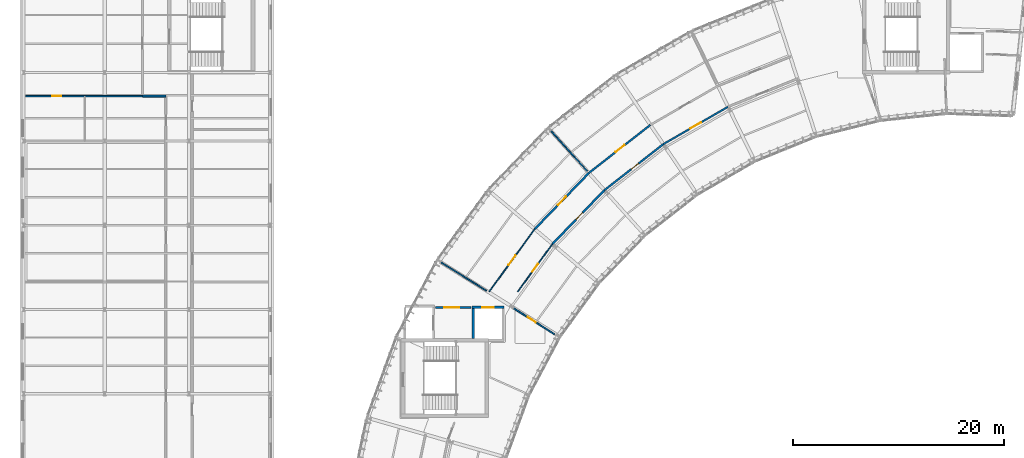
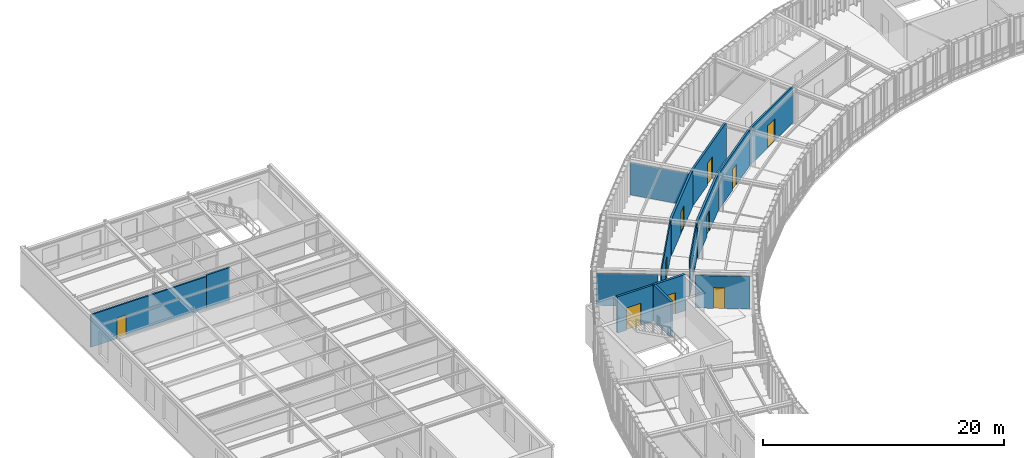
# One storey, part 29 of 41: 15 walls, 11 doors, 11 openings.
"""IFC4 building model written with IfcOpenShell, lengths in metres."""

import ifcopenshell
import ifcopenshell.guid

model = None  # the IFC model being written
_history = None  # IfcOwnerHistory: only IFC2X3 demands one
_inside = {}  # id of a spatial element -> (the spatial element, [elements in it])
_under = {}  # id of a project, library or spatial element -> (it, [spatial elements below it])
_declared = {}  # id of a project -> (the project, [libraries it declares])
_typed = {}  # id of a type object -> (the type object, [elements of that type])
_made_of = {}  # id of a material, layer set ... -> (it, [elements and type objects made of it])


def new_model(schema):
    """Start an empty IFC model of exactly this schema.

    Asked for "IFC4X3", IfcOpenShell would pick the latest addendum, in which some entities
    have other attributes; the version numbers below select the first issue.
    IFC2X3 requires an IfcOwnerHistory on every rooted entity: one is made here for all.
    """
    global model, _history
    if schema == "IFC4X3":
        model = ifcopenshell.file(schema_version=(4, 3, 0, 0))
    else:
        model = ifcopenshell.file(schema=schema)
    _inside.clear()
    _under.clear()
    _declared.clear()
    _typed.clear()
    _made_of.clear()
    _history = None
    if model.schema == "IFC2X3":
        org = make("IfcOrganization", Name="unknown")
        user = make(
            "IfcPersonAndOrganization",
            ThePerson=make("IfcPerson", FamilyName="unknown"),
            TheOrganization=org,
        )
        app = make(
            "IfcApplication",
            ApplicationDeveloper=org,
            Version="unknown",
            ApplicationFullName="unknown",
            ApplicationIdentifier="unknown",
        )
        _history = make(
            "IfcOwnerHistory",
            OwningUser=user,
            OwningApplication=app,
            ChangeAction="ADDED",
            CreationDate=0,
        )
    return model


def make(cls, **values):
    """One entity of the class cls with the attributes given. An attribute that is None is left unset."""
    return model.create_entity(
        cls, **{name: value for name, value in values.items() if value is not None}
    )


def rooted(cls, **values):
    """An entity with a GlobalId (a new one), such as an element, a storey or a relation."""
    return make(cls, GlobalId=ifcopenshell.guid.new(), OwnerHistory=_history, **values)


def si_unit(unit_type, name, prefix=None):
    """IfcSIUnit, for example si_unit("LENGTHUNIT", "METRE", prefix="MILLI")."""
    return make("IfcSIUnit", UnitType=unit_type, Prefix=prefix, Name=name)


def assignment(units):
    """IfcUnitAssignment: the units of a project."""
    return None if units is None else make("IfcUnitAssignment", Units=units)


def point(xyz):
    """IfcCartesianPoint."""
    return None if xyz is None else make("IfcCartesianPoint", Coordinates=xyz)


def direction(xyz):
    """IfcDirection."""
    return None if xyz is None else make("IfcDirection", DirectionRatios=xyz)


def frame(location, z_axis=None, x_axis=None):
    """IfcAxis2Placement3D, a coordinate frame: its origin and axes. An axis left out is left unset."""
    return make(
        "IfcAxis2Placement3D",
        Location=point(location),
        Axis=direction(z_axis),
        RefDirection=direction(x_axis),
    )


def frame_2d(location, x_axis=None):
    """IfcAxis2Placement2D, a coordinate frame in the plane: its origin and x axis."""
    return make(
        "IfcAxis2Placement2D", Location=point(location), RefDirection=direction(x_axis)
    )


def origin():
    """The frame at (0, 0, 0) with its axes left unset."""
    return frame((0.0, 0.0, 0.0))


def place(relative_to, where):
    """IfcLocalPlacement: puts the frame where relative to a parent placement (None: the world)."""
    return make(
        "IfcLocalPlacement", PlacementRelTo=relative_to, RelativePlacement=where
    )


def context(
    kind, dimensions, precision=None, world=None, true_north=None, identifier=None
):
    """IfcGeometricRepresentationContext, for example the 3D "Model" context."""
    return make(
        "IfcGeometricRepresentationContext",
        ContextIdentifier=identifier,
        ContextType=kind,
        CoordinateSpaceDimension=dimensions,
        Precision=precision,
        WorldCoordinateSystem=world,
        TrueNorth=true_north,
    )


def subcontext(parent, identifier, kind, view, scale=None):
    """IfcGeometricRepresentationSubContext, for example "Body" below "Model"."""
    return make(
        "IfcGeometricRepresentationSubContext",
        ContextIdentifier=identifier,
        ContextType=kind,
        ParentContext=parent,
        TargetScale=scale,
        TargetView=view,
    )


def project(units=None, contexts=None):
    """IfcProject with its units and contexts."""
    return rooted(
        "IfcProject",
        Name="project",
        RepresentationContexts=contexts,
        UnitsInContext=assignment(units),
    )


def spatial(cls, under=None, at=None, **own):
    """A site, building, storey or space (cls), placed at a placement, below another one or the project."""
    s = rooted(cls, ObjectPlacement=at, **own)
    if under is not None:
        _under.setdefault(under.id(), (under, []))[1].append(s)
    return s


def profile(cls, at=None, kind="AREA", **sizes):
    """A parametric profile (cls). Its sizes go by their IFC names, for example OverallWidth=200.0."""
    return make(cls, ProfileType=kind, Position=at, **sizes)


def rectangle(**sizes):
    """IfcRectangleProfileDef."""
    return profile("IfcRectangleProfileDef", **sizes)


def extrude(swept, where, along, depth):
    """IfcExtrudedAreaSolid: the profile swept, set in the frame where, extruded along a direction by depth."""
    return make(
        "IfcExtrudedAreaSolid",
        SweptArea=swept,
        Position=where,
        ExtrudedDirection=direction(along),
        Depth=depth,
    )


def shape(context_of_items, identifier, shape_type, items):
    """IfcShapeRepresentation: the items that make up one representation, for example the "Body"."""
    return make(
        "IfcShapeRepresentation",
        ContextOfItems=context_of_items,
        RepresentationIdentifier=identifier,
        RepresentationType=shape_type,
        Items=items,
    )


def material(Name=None, Category=None):
    """IfcMaterial."""
    return make("IfcMaterial", Name=Name, Category=Category)


def layer(
    of_material, thickness, ventilated=None, Name=None, Category=None, Priority=None
):
    """IfcMaterialLayer: one layer of a wall or slab, of a material (None: an air gap)."""
    return make(
        "IfcMaterialLayer",
        Material=of_material,
        LayerThickness=thickness,
        IsVentilated=ventilated,
        Name=Name,
        Category=Category,
        Priority=Priority,
    )


def layer_set(layers, Name=None):
    """IfcMaterialLayerSet."""
    return make("IfcMaterialLayerSet", MaterialLayers=layers, LayerSetName=Name)


def made_of(thing, what):
    """Note that an element or type object is made of a material, layer set ...; save() writes the relation."""
    if what is not None:
        _made_of.setdefault(what.id(), (what, []))[1].append(thing)
    return thing


def type_object(cls, material=None, **own):
    """A type object (cls), such as IfcWallType, which elements share."""
    return made_of(rooted(cls, **own), material)


def element(
    cls,
    number,
    at=None,
    inside=None,
    cuts=None,
    type_object=None,
    material=None,
    context=None,
    identifier="Body",
    shape_type=None,
    held_by="IfcProductDefinitionShape",
    body=None,
    shapes=None,
    **own,
):
    """One element of the class cls, such as IfcWall. Its Tag is "e" and its number.

    at: its placement. inside: the storey or other place that contains it. cuts: it is an
    opening in that element (IfcRelVoidsElement). A single representation is given by context,
    identifier, shape_type and body (its items); several are given by shapes. held_by: the class
    of the entity that holds the representations. save() writes the other relations.
    """
    e = rooted(cls, Tag="e%d" % number, ObjectPlacement=at, **own)
    if body is not None:
        shapes = [shape(context, identifier, shape_type, body)]
    if shapes is not None:
        e.Representation = make(held_by, Representations=shapes)
    if inside is not None:
        _inside.setdefault(inside.id(), (inside, []))[1].append(e)
    if cuts is not None:
        rooted(
            "IfcRelVoidsElement", RelatingBuildingElement=cuts, RelatedOpeningElement=e
        )
    if type_object is not None:
        _typed.setdefault(type_object.id(), (type_object, []))[1].append(e)
    return made_of(e, material)


def fill(opening, filler):
    """IfcRelFillsElement: the door or window that sits in an opening."""
    return rooted(
        "IfcRelFillsElement",
        RelatingOpeningElement=opening,
        RelatedBuildingElement=filler,
    )


def aggregate(whole, parts):
    """IfcRelAggregates: a whole, such as a stair, and the parts it consists of."""
    return rooted("IfcRelAggregates", RelatingObject=whole, RelatedObjects=parts)


def save(model, path):
    """Write the relations noted so far, then the file.

    IfcRelAggregates (storeys below a building ...), IfcRelContainedInSpatialStructure (elements
    in a storey), IfcRelDefinesByType, IfcRelAssociatesMaterial and IfcRelDeclares: one each for
    every whole, place, type object, material and project.
    """
    for whole, parts in _under.values():
        aggregate(whole, parts)
    for where, things in _inside.values():
        rooted(
            "IfcRelContainedInSpatialStructure",
            RelatedElements=things,
            RelatingStructure=where,
        )
    for kind, things in _typed.values():
        rooted("IfcRelDefinesByType", RelatedObjects=things, RelatingType=kind)
    for what, things in _made_of.values():
        rooted("IfcRelAssociatesMaterial", RelatedObjects=things, RelatingMaterial=what)
    for by, libraries in _declared.values():
        rooted("IfcRelDeclares", RelatingContext=by, RelatedDefinitions=libraries)
    model.write(path)


model = new_model("IFC4")

# Units and contexts
model_context = context("Model", 3, precision=1e-05, world=origin(), true_north=direction((0.0, 1.0)))
body_context = subcontext(model_context, "Body", "Model", "MODEL_VIEW")
ifc_project = project(units=[si_unit("LENGTHUNIT", "METRE"), si_unit("AREAUNIT", "SQUARE_METRE"), si_unit("VOLUMEUNIT", "CUBIC_METRE"), si_unit("PLANEANGLEUNIT", "RADIAN"), si_unit("MASSUNIT", "GRAM", prefix="KILO"), si_unit("THERMODYNAMICTEMPERATUREUNIT", "KELVIN"), si_unit("POWERUNIT", "WATT")], contexts=[model_context])

# Site, building, storey
site_placement = place(None, origin())
site = spatial("IfcSite", under=ifc_project, at=site_placement, CompositionType="ELEMENT")
building_placement = place(site_placement, origin())
building = spatial("IfcBuilding", under=site, at=building_placement, Name="Solvatero Civic Police Headquarters", CompositionType="ELEMENT")
storey_placement = place(building_placement, frame((0.0, 0.0, 17.699951171875)))
storey = spatial("IfcBuildingStorey", under=building, at=storey_placement, Name="L04", CompositionType="ELEMENT", Elevation=17.699951171875)

# Wall, opening, door
ifc_material_1 = material(Name="Gypsum Acoustic Stud", Category="gypsum")
ifc_layer_1 = layer(ifc_material_1, 0.10009765625)
ifc_layer_set_1 = layer_set([ifc_layer_1], Name="Gypsum Acoustic Stud")
wall_type_1 = type_object("IfcWallType", Name="WL-PTN-100", PredefinedType="PARTITIONING", material=ifc_layer_set_1)
wall_1_placement = place(storey_placement, frame((55.00830078125, 58.718017578125, 0.0), z_axis=(0.0, 0.0, 1.0), x_axis=(-0.587773920785, -0.809025227076, 0.0)))
wall_1 = element("IfcWall", 1, at=wall_1_placement, inside=storey, type_object=wall_type_1, Name="Interior Partition WLP-L04-ARC-CIN-B08", PredefinedType="PARTITIONING", context=body_context, shape_type="SweptSolid", body=[
    extrude(rectangle(XDim=5.58447265625, YDim=0.10009765625, at=frame_2d((2.792236328125, 0.0))), origin(), (0.0, 0.0, 1.0), 3.679931640625),
])
opening_1_placement = place(wall_1_placement, frame((2.344970703125, 0.0, 0.0)))
opening_1 = element("IfcOpeningElement", 2, at=opening_1_placement, cuts=wall_1, Name="Opening ID-03", PredefinedType="OPENING", context=body_context, shape_type="SweptSolid", body=[
    extrude(rectangle(XDim=0.919921875, YDim=2.1201171875, at=frame_2d((0.4599609375, 1.06005859375))), frame((0.0, 0.06005859375, 0.0), z_axis=(0.0, -1.0, 0.0), x_axis=(1.0, 0.0, 0.0)), (0.0, 0.0, 1.0), 0.1201171875),
])
ifc_material_2 = material(Name="Acoustic Oak Timber Veneer", Category="wood")
door_type_1 = type_object("IfcDoorType", Name="DR-OFF-092x212", OperationType="NOTDEFINED", PredefinedType="DOOR", material=ifc_material_2)
door_1_placement = place(opening_1_placement, origin())
door_1 = element("IfcDoor", 3, at=door_1_placement, inside=storey, type_object=door_type_1, Name="Interior Door DR-L04-ARC-IN-B08", OperationType="SINGLE_SWING_RIGHT", OverallHeight=2.1201171875, OverallWidth=0.919921875, PredefinedType="DOOR", context=body_context, shape_type="SweptSolid", body=[
    extrude(rectangle(XDim=0.919921875, YDim=2.1201171875, at=frame_2d((0.4599609375, 1.06005859375))), frame((0.0, 0.02490234375, 0.0), z_axis=(0.0, -1.0, 0.0), x_axis=(1.0, 0.0, 0.0)), (0.0, 0.0, 1.0), 0.050048828125),
])
fill(opening_1, door_1)

wall_2_placement = place(storey_placement, frame((53.322998046875, 60.132080078125, 0.0), z_axis=(0.0, 0.0, 1.0), x_axis=(-0.587773694682, -0.809025391344, 0.0)))
wall_2 = element("IfcWall", 4, at=wall_2_placement, inside=storey, type_object=wall_type_1, Name="Interior Partition WLP-L04-ARC-COUT-B08", PredefinedType="PARTITIONING", context=body_context, shape_type="SweptSolid", body=[
    extrude(rectangle(XDim=7.33251953125, YDim=0.10009765625, at=frame_2d((3.666259765625, 0.0))), origin(), (0.0, 0.0, 1.0), 3.679931640625),
])
opening_2_placement = place(wall_2_placement, frame((3.080078125, 0.0, 0.0)))
opening_2 = element("IfcOpeningElement", 5, at=opening_2_placement, cuts=wall_2, Name="Opening ID-10", PredefinedType="OPENING", context=body_context, shape_type="SweptSolid", body=[
    extrude(rectangle(XDim=1.14990234375, YDim=2.199951171875, at=frame_2d((0.574951171875, 1.10009765625))), frame((0.0, 0.06005859375, 0.0), z_axis=(0.0, -1.0, 0.0), x_axis=(1.0, 0.0, 0.0)), (0.0, 0.0, 1.0), 0.1201171875),
])
ifc_material_3 = material(Name="Powder-Coated Steel", Category="steel")
door_type_2 = type_object("IfcDoorType", Name="DR-COR-115x220", OperationType="NOTDEFINED", PredefinedType="DOOR", material=ifc_material_3)
door_2_placement = place(opening_2_placement, origin())
door_2 = element("IfcDoor", 6, at=door_2_placement, inside=storey, type_object=door_type_2, Name="Interior Door DR-L04-ARC-OUT-B08", OperationType="SINGLE_SWING_LEFT", OverallHeight=2.199951171875, OverallWidth=1.14990234375, PredefinedType="DOOR", context=body_context, shape_type="SweptSolid", body=[
    extrude(rectangle(XDim=1.14990234375, YDim=2.199951171875, at=frame_2d((0.574951171875, 1.10009765625))), frame((0.0, 0.02490234375, 0.0), z_axis=(0.0, -1.0, 0.0), x_axis=(1.0, 0.0, 0.0)), (0.0, 0.0, 1.0), 0.050048828125),
])
fill(opening_2, door_2)

# Walls
ifc_layer_2 = layer(ifc_material_1, 0.1201171875)
ifc_layer_set_2 = layer_set([ifc_layer_2], Name="Gypsum Acoustic Stud")
wall_type_2 = type_object("IfcWallType", Name="WL-PTN-120", PredefinedType="PARTITIONING", material=ifc_layer_set_2)
wall_3_placement = place(storey_placement, frame((58.302001953125, 65.646728515625, 0.0), z_axis=(0.0, 0.0, 1.0), x_axis=(-0.669114002905, 0.743159774959, 0.0)))
element("IfcWall", 7, at=wall_3_placement, inside=storey, type_object=wall_type_2, Name="Interior Partition WLP-L04-ARC-RAD-B06", PredefinedType="PARTITIONING", context=body_context, shape_type="SweptSolid", body=[
    extrude(rectangle(XDim=5.150146484375, YDim=0.1201171875, at=frame_2d((2.5751953125, 0.0))), origin(), (0.0, 0.0, 1.0), 3.25),
])
wall_4_placement = place(storey_placement, frame((48.756591796875, 54.271240234375, 0.0), z_axis=(0.0, 0.0, 1.0), x_axis=(-0.848054228257, 0.529909450694, 0.0)))
element("IfcWall", 8, at=wall_4_placement, inside=storey, type_object=wall_type_2, Name="Interior Partition WLP-L04-ARC-RAD-B08", PredefinedType="PARTITIONING", context=body_context, shape_type="SweptSolid", body=[
    extrude(rectangle(XDim=5.14990234375, YDim=0.1201171875, at=frame_2d((2.574951171875, 0.0))), origin(), (0.0, 0.0, 1.0), 3.25),
])

# Wall, opening, door
ifc_material_4 = material(Name="Gypsum Double-Stud", Category="gypsum")
ifc_layer_3 = layer(ifc_material_4, 0.135009765625)
ifc_layer_set_3 = layer_set([ifc_layer_3], Name="Gypsum Double-Stud")
wall_type_3 = type_object("IfcWallType", Name="WL-PTN-135", PredefinedType="PARTITIONING", material=ifc_layer_set_3)
wall_5_placement = place(storey_placement, frame((51.35009765625, 52.60009765625, 0.0), z_axis=(0.0, 0.0, 1.0), x_axis=(0.84363284859, -0.536920493909, 0.0)))
wall_5 = element("IfcWall", 9, at=wall_5_placement, inside=storey, type_object=wall_type_3, Name="Interior Partition WLP-L04-ARC-CIN-B09C", PredefinedType="PARTITIONING", context=body_context, shape_type="SweptSolid", body=[
    extrude(rectangle(XDim=4.5634765625, YDim=0.135009765625, at=frame_2d((2.28173828125, 0.0))), origin(), (0.0, 0.0, 1.0), 3.300048828125),
])
opening_3_placement = place(wall_5_placement, frame((1.550048828125, 0.0, 0.0)))
opening_3 = element("IfcOpeningElement", 10, at=opening_3_placement, cuts=wall_5, Name="Opening ID-02", PredefinedType="OPENING", context=body_context, shape_type="SweptSolid", body=[
    extrude(rectangle(XDim=0.89990234375, YDim=2.10009765625, at=frame_2d((0.449951171875, 1.050048828125))), frame((0.0, 0.077392578125, 0.0), z_axis=(0.0, -1.0, 0.0), x_axis=(1.0, 0.0, 0.0)), (0.0, 0.0, 1.0), 0.155029296875),
])
door_type_3 = type_object("IfcDoorType", Name="DR-OFF-090x210", OperationType="NOTDEFINED", PredefinedType="DOOR", material=ifc_material_2)
door_3_placement = place(opening_3_placement, origin())
door_3 = element("IfcDoor", 11, at=door_3_placement, inside=storey, type_object=door_type_3, Name="Interior Door DR-L04-ARC-IN-B09", OperationType="SINGLE_SWING_LEFT", OverallHeight=2.10009765625, OverallWidth=0.89990234375, PredefinedType="DOOR", context=body_context, shape_type="SweptSolid", body=[
    extrude(rectangle(XDim=0.89990234375, YDim=2.10009765625, at=frame_2d((0.449951171875, 1.050048828125))), frame((0.0, 0.02490234375, 0.0), z_axis=(0.0, -1.0, 0.0), x_axis=(1.0, 0.0, 0.0)), (0.0, 0.0, 1.0), 0.050048828125),
])
fill(opening_3, door_3)

ifc_layer_4 = layer(ifc_material_1, 0.14990234375)
ifc_layer_set_4 = layer_set([ifc_layer_4], Name="Gypsum Acoustic Stud")
wall_type_4 = type_object("IfcWallType", Name="WL-PTN-150", PredefinedType="PARTITIONING", material=ifc_layer_set_4)
wall_6_placement = place(storey_placement, frame((5.0, 72.75, 0.0), z_axis=(0.0, 0.0, 1.0), x_axis=(1.0, 0.0, 0.0)))
wall_6 = element("IfcWall", 12, at=wall_6_placement, inside=storey, type_object=wall_type_4, Name="Interior Partition WLP-L04-WC-N", PredefinedType="PARTITIONING", context=body_context, shape_type="SweptSolid", body=[
    extrude(rectangle(XDim=11.10009765625, YDim=0.14990234375, at=frame_2d((5.550048828125, 0.0))), origin(), (0.0, 0.0, 1.0), 3.298095703125),
])
opening_4_placement = place(wall_6_placement, frame((2.5, 0.0, 0.0)))
opening_4 = element("IfcOpeningElement", 13, at=opening_4_placement, cuts=wall_6, Name="Opening ID-01", PredefinedType="OPENING", context=body_context, shape_type="SweptSolid", body=[
    extrude(rectangle(XDim=0.8798828125, YDim=2.10009765625, at=frame_2d((0.43994140625, 1.050048828125))), frame((0.0, 0.0849609375, 0.0), z_axis=(0.0, -1.0, 0.0), x_axis=(1.0, 0.0, 0.0)), (0.0, 0.0, 1.0), 0.169921875),
])
door_type_4 = type_object("IfcDoorType", Name="DR-OFF-088x210", OperationType="NOTDEFINED", PredefinedType="DOOR", material=ifc_material_2)
door_4_placement = place(opening_4_placement, origin())
door_4 = element("IfcDoor", 14, at=door_4_placement, inside=storey, type_object=door_type_4, Name="Interior Door DR-L04-WCM", OperationType="SINGLE_SWING_LEFT", OverallHeight=2.10009765625, OverallWidth=0.8798828125, PredefinedType="DOOR", context=body_context, shape_type="SweptSolid", body=[
    extrude(rectangle(XDim=0.8798828125, YDim=2.10009765625, at=frame_2d((0.43994140625, 1.050048828125))), frame((0.0, 0.02490234375, 0.0), z_axis=(0.0, -1.0, 0.0), x_axis=(1.0, 0.0, 0.0)), (0.0, 0.0, 1.0), 0.050048828125),
])
fill(opening_4, door_4)

ifc_material_5 = material(Name="Concrete Blockwork", Category="masonry")
ifc_layer_5 = layer(ifc_material_5, 0.1650390625)
ifc_layer_set_5 = layer_set([ifc_layer_5], Name="Concrete Blockwork")
wall_type_5 = type_object("IfcWallType", Name="WL-PTN-165", PredefinedType="PARTITIONING", material=ifc_layer_set_5)
wall_7_placement = place(storey_placement, frame((71.68701171875, 71.74853515625, 0.0), z_axis=(0.0, 0.0, 1.0), x_axis=(-0.866032151687, -0.499988312107, 0.0)))
wall_7 = element("IfcWall", 15, at=wall_7_placement, inside=storey, type_object=wall_type_5, Name="Interior Partition WLP-L04-ARC-CIN-B05", PredefinedType="PARTITIONING", context=body_context, shape_type="SweptSolid", body=[
    extrude(rectangle(XDim=7.101318359375, YDim=0.1650390625, at=frame_2d((3.55078125, 0.0))), origin(), (0.0, 0.0, 1.0), 3.679931640625),
])
opening_5_placement = place(wall_7_placement, frame((2.98193359375, 0.0, 0.0)))
opening_5 = element("IfcOpeningElement", 16, at=opening_5_placement, cuts=wall_7, Name="Opening ID-11", PredefinedType="OPENING", context=body_context, shape_type="SweptSolid", body=[
    extrude(rectangle(XDim=1.179931640625, YDim=2.239990234375, at=frame_2d((0.58984375, 1.1201171875))), frame((0.0, 0.092529296875, 0.0), z_axis=(0.0, -1.0, 0.0), x_axis=(1.0, 0.0, 0.0)), (0.0, 0.0, 1.0), 0.18505859375),
])
door_type_5 = type_object("IfcDoorType", Name="DR-COR-118x224", OperationType="NOTDEFINED", PredefinedType="DOOR", material=ifc_material_3)
door_5_placement = place(opening_5_placement, origin())
door_5 = element("IfcDoor", 17, at=door_5_placement, inside=storey, type_object=door_type_5, Name="Interior Door DR-L04-ARC-IN-B05", OperationType="SINGLE_SWING_RIGHT", OverallHeight=2.239990234375, OverallWidth=1.179931640625, PredefinedType="DOOR", context=body_context, shape_type="SweptSolid", body=[
    extrude(rectangle(XDim=1.179931640625, YDim=2.239990234375, at=frame_2d((0.58984375, 1.1201171875))), frame((0.0, 0.02490234375, 0.0), z_axis=(0.0, -1.0, 0.0), x_axis=(1.0, 0.0, 0.0)), (0.0, 0.0, 1.0), 0.050048828125),
])
fill(opening_5, door_5)

# Wall
ifc_layer_6 = layer(ifc_material_5, 0.179931640625)
ifc_layer_set_6 = layer_set([ifc_layer_6], Name="Concrete Blockwork")
wall_type_6 = type_object("IfcWallType", Name="WL-PTN-180", PredefinedType="PARTITIONING", material=ifc_layer_set_6)
wall_8_placement = place(storey_placement, frame((16.10009765625, 72.75, 0.0), z_axis=(0.0, 0.0, 1.0), x_axis=(1.0, 0.0, 0.0)))
element("IfcWall", 18, at=wall_8_placement, inside=storey, type_object=wall_type_6, Name="Interior Partition WLP-L04-C4LOB-S", PredefinedType="PARTITIONING", context=body_context, shape_type="SweptSolid", body=[
    extrude(rectangle(XDim=2.199951171875, YDim=0.179931640625, at=frame_2d((1.10009765625, 0.0))), origin(), (0.0, 0.0, 1.0), 3.449951171875),
])

# Wall, opening, door
wall_9_placement = place(storey_placement, frame((65.537109375, 68.197998046875, 0.0), z_axis=(0.0, 0.0, 1.0), x_axis=(-0.788011863809, -0.615660054329, 0.0)))
wall_9 = element("IfcWall", 19, at=wall_9_placement, inside=storey, type_object=wall_type_6, Name="Interior Partition WLP-L04-ARC-CIN-B06", PredefinedType="PARTITIONING", context=body_context, shape_type="SweptSolid", body=[
    extrude(rectangle(XDim=7.10107421875, YDim=0.179931640625, at=frame_2d((3.550537109375, 0.0))), origin(), (0.0, 0.0, 1.0), 3.679931640625),
])
opening_6_placement = place(wall_9_placement, frame((2.98193359375, 0.0, 0.0)))
opening_6 = element("IfcOpeningElement", 20, at=opening_6_placement, cuts=wall_9, Name="Opening ID-01", PredefinedType="OPENING", context=body_context, shape_type="SweptSolid", body=[
    extrude(rectangle(XDim=0.8798828125, YDim=2.10009765625, at=frame_2d((0.43994140625, 1.050048828125))), frame((0.0, 0.099853515625, 0.0), z_axis=(0.0, -1.0, 0.0), x_axis=(1.0, 0.0, 0.0)), (0.0, 0.0, 1.0), 0.199951171875),
])
door_6_placement = place(opening_6_placement, origin())
door_6 = element("IfcDoor", 21, at=door_6_placement, inside=storey, type_object=door_type_4, Name="Interior Door DR-L04-ARC-IN-B06", OperationType="SINGLE_SWING_RIGHT", OverallHeight=2.10009765625, OverallWidth=0.8798828125, PredefinedType="DOOR", context=body_context, shape_type="SweptSolid", body=[
    extrude(rectangle(XDim=0.8798828125, YDim=2.10009765625, at=frame_2d((0.43994140625, 1.050048828125))), frame((0.0, 0.02490234375, 0.0), z_axis=(0.0, -1.0, 0.0), x_axis=(1.0, 0.0, 0.0)), (0.0, 0.0, 1.0), 0.050048828125),
])
fill(opening_6, door_6)

wall_10_placement = place(storey_placement, frame((64.306884765625, 70.02197265625, 0.0), z_axis=(0.0, 0.0, 1.0), x_axis=(-0.787999891273, -0.615675378226, 0.0)))
wall_10 = element("IfcWall", 22, at=wall_10_placement, inside=storey, type_object=wall_type_6, Name="Interior Partition WLP-L04-ARC-COUT-B06", PredefinedType="PARTITIONING", context=body_context, shape_type="SweptSolid", body=[
    extrude(rectangle(XDim=7.408203125, YDim=0.179931640625, at=frame_2d((3.7041015625, 0.0))), origin(), (0.0, 0.0, 1.0), 3.679931640625),
])
opening_7_placement = place(wall_10_placement, frame((3.111083984375, 0.0, 0.0)))
opening_7 = element("IfcOpeningElement", 23, at=opening_7_placement, cuts=wall_10, Name="Opening ID-08", PredefinedType="OPENING", context=body_context, shape_type="SweptSolid", body=[
    extrude(rectangle(XDim=1.080078125, YDim=2.219970703125, at=frame_2d((0.5400390625, 1.10986328125))), frame((0.0, 0.099853515625, 0.0), z_axis=(0.0, -1.0, 0.0), x_axis=(1.0, 0.0, 0.0)), (0.0, 0.0, 1.0), 0.199951171875),
])
door_type_6 = type_object("IfcDoorType", Name="DR-LAB-108x222", OperationType="NOTDEFINED", PredefinedType="DOOR", material=ifc_material_3)
door_7_placement = place(opening_7_placement, origin())
door_7 = element("IfcDoor", 24, at=door_7_placement, inside=storey, type_object=door_type_6, Name="Interior Door DR-L04-ARC-OUT-B06", OperationType="SINGLE_SWING_LEFT", OverallHeight=2.219970703125, OverallWidth=1.080078125, PredefinedType="DOOR", context=body_context, shape_type="SweptSolid", body=[
    extrude(rectangle(XDim=1.080078125, YDim=2.219970703125, at=frame_2d((0.5400390625, 1.10986328125))), frame((0.0, 0.02490234375, 0.0), z_axis=(0.0, -1.0, 0.0), x_axis=(1.0, 0.0, 0.0)), (0.0, 0.0, 1.0), 0.050048828125),
])
fill(opening_7, door_7)

ifc_layer_7 = layer(ifc_material_5, 0.199951171875)
ifc_layer_set_7 = layer_set([ifc_layer_7], Name="Concrete Blockwork")
wall_type_7 = type_object("IfcWallType", Name="WL-PTN-200", PredefinedType="PARTITIONING", material=ifc_layer_set_7)
wall_11_placement = place(storey_placement, frame((43.89990234375, 52.699951171875, 0.0), z_axis=(0.0, 0.0, 1.0), x_axis=(1.0, 0.0, 0.0)))
wall_11 = element("IfcWall", 25, at=wall_11_placement, inside=storey, type_object=wall_type_7, Name="Interior Partition WLP-FFL-C2-L04-N", PredefinedType="PARTITIONING", context=body_context, shape_type="SweptSolid", body=[
    extrude(rectangle(XDim=3.400146484375, YDim=0.199951171875, at=frame_2d((1.7001953125, 0.0))), origin(), (0.0, 0.0, 1.0), 3.679931640625),
])
opening_8_placement = place(wall_11_placement, frame((0.85009765625, 0.0, 0.0)))
opening_8 = element("IfcOpeningElement", 26, at=opening_8_placement, cuts=wall_11, Name="Opening FD-02", PredefinedType="OPENING", context=body_context, shape_type="SweptSolid", body=[
    extrude(rectangle(XDim=1.39990234375, YDim=2.25, at=frame_2d((0.699951171875, 1.125))), frame((0.0, 0.10986328125, 0.0), z_axis=(0.0, -1.0, 0.0), x_axis=(1.0, 0.0, 0.0)), (0.0, 0.0, 1.0), 0.219970703125),
])
door_type_7 = type_object("IfcDoorType", Name="DR-LOB-140x225", OperationType="NOTDEFINED", PredefinedType="DOOR", material=ifc_material_3)
door_8_placement = place(opening_8_placement, origin())
door_8 = element("IfcDoor", 27, at=door_8_placement, inside=storey, type_object=door_type_7, Name="Interior Door DR-FFL-C2-L04-ACC", OperationType="DOUBLE_DOOR_SINGLE_SWING", OverallHeight=2.25, OverallWidth=1.39990234375, PredefinedType="DOOR", context=body_context, shape_type="SweptSolid", body=[
    extrude(rectangle(XDim=1.39990234375, YDim=2.25, at=frame_2d((0.699951171875, 1.125))), frame((0.0, 0.02490234375, 0.0), z_axis=(0.0, -1.0, 0.0), x_axis=(1.0, 0.0, 0.0)), (0.0, 0.0, 1.0), 0.050048828125),
])
fill(opening_8, door_8)

wall_12_placement = place(storey_placement, frame((59.94140625, 63.826171875, 0.0), z_axis=(0.0, 0.0, 1.0), x_axis=(-0.694674270111, -0.719324445884, 0.0)))
wall_12 = element("IfcWall", 28, at=wall_12_placement, inside=storey, type_object=wall_type_7, Name="Interior Partition WLP-L04-ARC-CIN-B07", PredefinedType="PARTITIONING", context=body_context, shape_type="SweptSolid", body=[
    extrude(rectangle(XDim=7.101318359375, YDim=0.199951171875, at=frame_2d((3.55078125, 0.0))), origin(), (0.0, 0.0, 1.0), 3.679931640625),
])
opening_9_placement = place(wall_12_placement, frame((2.98291015625, 0.0, 0.0)))
opening_9 = element("IfcOpeningElement", 29, at=opening_9_placement, cuts=wall_12, Name="Opening ID-02", PredefinedType="OPENING", context=body_context, shape_type="SweptSolid", body=[
    extrude(rectangle(XDim=0.89990234375, YDim=2.10009765625, at=frame_2d((0.449951171875, 1.050048828125))), frame((0.0, 0.10986328125, 0.0), z_axis=(0.0, -1.0, 0.0), x_axis=(1.0, 0.0, 0.0)), (0.0, 0.0, 1.0), 0.219970703125),
])
door_9_placement = place(opening_9_placement, origin())
door_9 = element("IfcDoor", 30, at=door_9_placement, inside=storey, type_object=door_type_3, Name="Interior Door DR-L04-ARC-IN-B07", OperationType="SINGLE_SWING_RIGHT", OverallHeight=2.10009765625, OverallWidth=0.89990234375, PredefinedType="DOOR", context=body_context, shape_type="SweptSolid", body=[
    extrude(rectangle(XDim=0.89990234375, YDim=2.10009765625, at=frame_2d((0.449951171875, 1.050048828125))), frame((0.0, 0.02490234375, 0.0), z_axis=(0.0, -1.0, 0.0), x_axis=(1.0, 0.0, 0.0)), (0.0, 0.0, 1.0), 0.050048828125),
])
fill(opening_9, door_9)

wall_13_placement = place(storey_placement, frame((58.46923828125, 65.4609375, 0.0), z_axis=(0.0, 0.0, 1.0), x_axis=(-0.694673907436, -0.71932479613, 0.0)))
wall_13 = element("IfcWall", 31, at=wall_13_placement, inside=storey, type_object=wall_type_7, Name="Interior Partition WLP-L04-ARC-COUT-B07", PredefinedType="PARTITIONING", context=body_context, shape_type="SweptSolid", body=[
    extrude(rectangle(XDim=7.408203125, YDim=0.199951171875, at=frame_2d((3.7041015625, 0.0))), origin(), (0.0, 0.0, 1.0), 3.679931640625),
])
opening_10_placement = place(wall_13_placement, frame((3.111083984375, 0.0, 0.0)))
opening_10 = element("IfcOpeningElement", 32, at=opening_10_placement, cuts=wall_13, Name="Opening ID-09", PredefinedType="OPENING", context=body_context, shape_type="SweptSolid", body=[
    extrude(rectangle(XDim=1.1201171875, YDim=2.199951171875, at=frame_2d((0.56005859375, 1.10009765625))), frame((0.0, 0.10986328125, 0.0), z_axis=(0.0, -1.0, 0.0), x_axis=(1.0, 0.0, 0.0)), (0.0, 0.0, 1.0), 0.219970703125),
])
door_type_8 = type_object("IfcDoorType", Name="DR-PLT-112x220", OperationType="NOTDEFINED", PredefinedType="DOOR", material=ifc_material_3)
door_10_placement = place(opening_10_placement, origin())
door_10 = element("IfcDoor", 33, at=door_10_placement, inside=storey, type_object=door_type_8, Name="Interior Door DR-L04-ARC-OUT-B07", OperationType="SINGLE_SWING_LEFT", OverallHeight=2.199951171875, OverallWidth=1.1201171875, PredefinedType="DOOR", context=body_context, shape_type="SweptSolid", body=[
    extrude(rectangle(XDim=1.1201171875, YDim=2.199951171875, at=frame_2d((0.56005859375, 1.10009765625))), frame((0.0, 0.02490234375, 0.0), z_axis=(0.0, -1.0, 0.0), x_axis=(1.0, 0.0, 0.0)), (0.0, 0.0, 1.0), 0.050048828125),
])
fill(opening_10, door_10)

ifc_material_6 = material(Name="Concrete C35/45", Category="concrete")
ifc_layer_8 = layer(ifc_material_6, 0.219970703125)
ifc_layer_set_8 = layer_set([ifc_layer_8], Name="Concrete C35/45")
wall_type_8 = type_object("IfcWallType", Name="WL-SHF-220", PredefinedType="PARTITIONING", material=ifc_layer_set_8)
wall_14_placement = place(storey_placement, frame((47.3798828125, 52.7099609375, 0.0), z_axis=(0.0, 0.0, 1.0), x_axis=(1.0, 0.0, 0.0)))
wall_14 = element("IfcWall", 34, at=wall_14_placement, inside=storey, type_object=wall_type_8, Name="Lift Shaft Wall WLS-LP-03-L04-N", PredefinedType="PARTITIONING", context=body_context, shape_type="SweptSolid", body=[
    extrude(rectangle(XDim=3.0400390625, YDim=0.219970703125, at=frame_2d((1.52001953125, 0.0))), origin(), (0.0, 0.0, 1.0), 3.679931640625),
])
opening_11_placement = place(wall_14_placement, frame((0.969970703125, 0.0, 0.0)))
opening_11 = element("IfcOpeningElement", 35, at=opening_11_placement, cuts=wall_14, Name="Opening LD-01", PredefinedType="OPENING", context=body_context, shape_type="SweptSolid", body=[
    extrude(rectangle(XDim=1.10009765625, YDim=2.14990234375, at=frame_2d((0.550048828125, 1.074951171875))), frame((0.0, 0.119873046875, 0.0), z_axis=(0.0, -1.0, 0.0), x_axis=(1.0, 0.0, 0.0)), (0.0, 0.0, 1.0), 0.239990234375),
])
ifc_material_7 = material(Name="Stainless Steel Grade 316", Category="steel")
door_type_9 = type_object("IfcDoorType", Name="DR-LFT-110x215", OperationType="DOUBLE_DOOR_SLIDING", PredefinedType="DOOR", material=ifc_material_7)
door_11_placement = place(opening_11_placement, origin())
door_11 = element("IfcDoor", 36, at=door_11_placement, inside=storey, type_object=door_type_9, Name="Interior Door DR-LFT-LP-03-L04", OperationType="DOUBLE_DOOR_SLIDING", OverallHeight=2.14990234375, OverallWidth=1.10009765625, PredefinedType="DOOR", context=body_context, shape_type="SweptSolid", body=[
    extrude(rectangle(XDim=1.10009765625, YDim=2.14990234375, at=frame_2d((0.550048828125, 1.074951171875))), frame((0.0, 0.02490234375, 0.0), z_axis=(0.0, -1.0, 0.0), x_axis=(1.0, 0.0, 0.0)), (0.0, 0.0, 1.0), 0.050048828125),
])
fill(opening_11, door_11)

# Wall
wall_15_placement = place(storey_placement, frame((47.489990234375, 49.760009765625, 0.0), z_axis=(0.0, 0.0, 1.0), x_axis=(0.0, 1.0, 0.0)))
element("IfcWall", 37, at=wall_15_placement, inside=storey, type_object=wall_type_8, Name="Lift Shaft Wall WLS-LP-03-L04-W", PredefinedType="PARTITIONING", context=body_context, shape_type="SweptSolid", body=[
    extrude(rectangle(XDim=2.840087890625, YDim=0.219970703125, at=frame_2d((1.419921875, 0.0))), origin(), (0.0, 0.0, 1.0), 3.679931640625),
])

save(model, "model.ifc")
